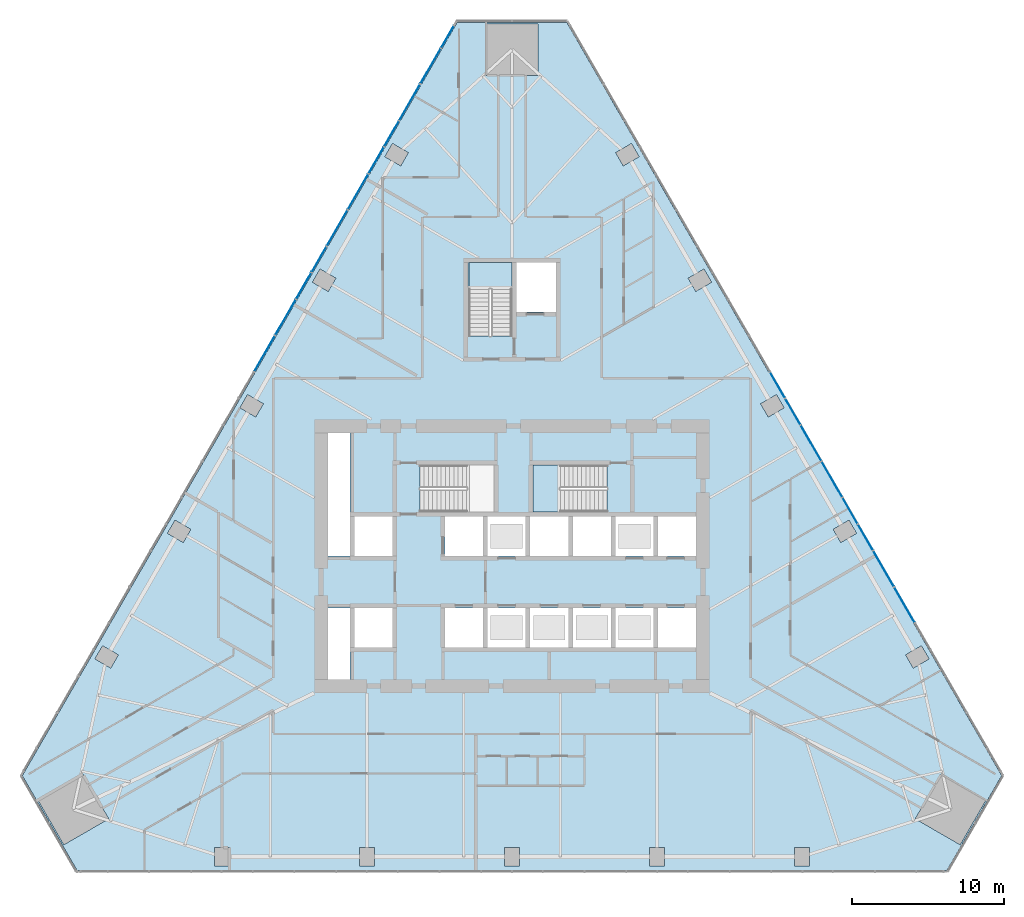
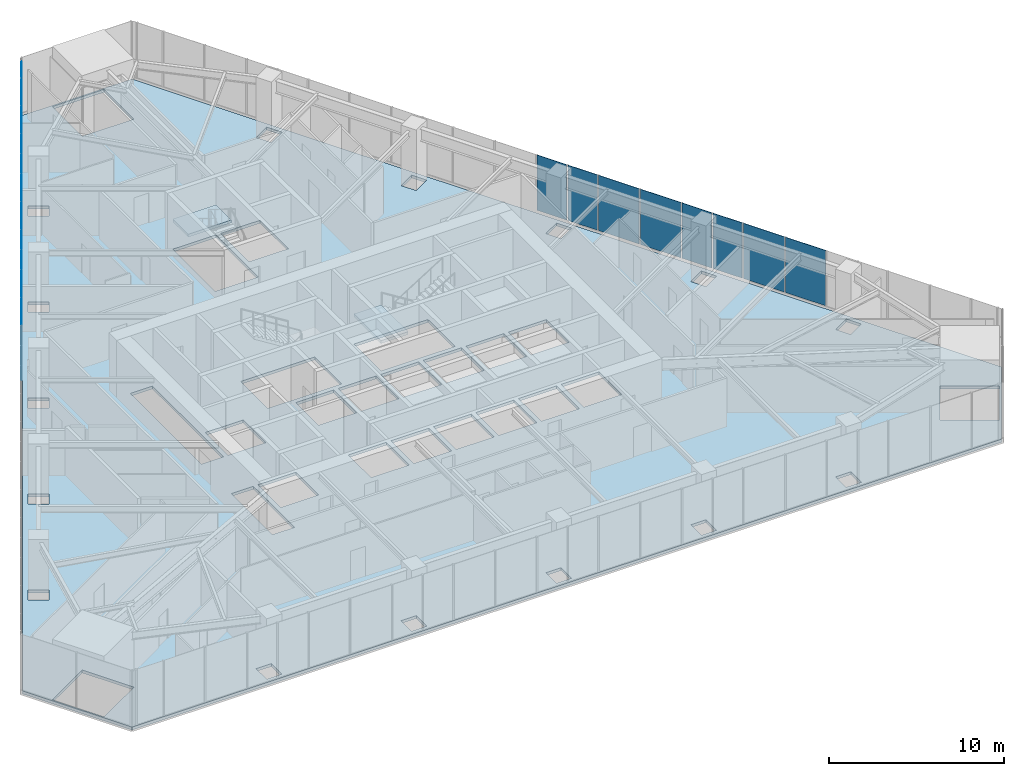
# One storey, part 16 of 25: 19 plates, 3 slabs, 4 elements without a shape of their own.
"""IFC4 building model written with IfcOpenShell, lengths in metres."""

from ifc_helpers import new_model, si_unit, direction, frame, origin, place, context, subcontext, project, spatial, polyline, outline, extrude, material, layer, layer_set, type_object, element, aggregate, save


model = new_model("IFC4")

# Units and contexts
model_context = context("Model", 3, precision=1e-05, world=origin(), true_north=direction((0.0, 1.0)))
body_context = subcontext(model_context, "Body", "Model", "MODEL_VIEW")
ifc_project = project(units=[si_unit("LENGTHUNIT", "METRE"), si_unit("AREAUNIT", "SQUARE_METRE"), si_unit("VOLUMEUNIT", "CUBIC_METRE"), si_unit("PLANEANGLEUNIT", "RADIAN"), si_unit("MASSUNIT", "GRAM", prefix="KILO")], contexts=[model_context])

# Site, building, storey
site_placement = place(None, origin())
site = spatial("IfcSite", under=ifc_project, at=site_placement, CompositionType="ELEMENT")
building_placement = place(site_placement, origin())
building = spatial("IfcBuilding", under=site, at=building_placement, Name="Firuza Gate Tower and Library", CompositionType="ELEMENT")
storey_placement = place(building_placement, frame((0.0, 0.0, 61.0)))
storey = spatial("IfcBuildingStorey", under=building, at=storey_placement, Name="L13", CompositionType="ELEMENT", Elevation=61.0)

# Slab
ifc_material_1 = material(Name="Concrete C40/50", Category="concrete")
ifc_layer_1 = layer(ifc_material_1, 0.199951171875)
ifc_layer_set_1 = layer_set([ifc_layer_1], Name="Composite floor slab 200 C40/50")
slab_type_1 = type_object("IfcSlabType", Name="Composite floor slab 200 C40/50", PredefinedType="FLOOR", material=ifc_layer_set_1)
slab_1_placement = place(storey_placement, frame((0.0, 0.0, -0.199951171875)))
element("IfcSlab", 1, at=slab_1_placement, inside=storey, type_object=slab_type_1, Name="Floor slab L13", PredefinedType="FLOOR", context=body_context, shape_type="SweptSolid", body=[
    extrude(outline(polyline([(42.796630859375, 60.564208984375), (46.396728515625, 54.328857421875), (103.603271484375, 54.328857421875), (107.203369140625, 60.564208984375), (78.60009765625, 110.106689453125), (71.39990234375, 110.106689453125), (42.796630859375, 60.564208984375)]), holes=[polyline([(55.43115234375, 54.62890625), (55.43115234375, 55.828857421875), (56.43115234375, 55.828857421875), (56.43115234375, 54.62890625), (55.43115234375, 54.62890625)]), polyline([(64.965576171875, 54.62890625), (64.965576171875, 55.828857421875), (65.965576171875, 55.828857421875), (65.965576171875, 54.62890625), (64.965576171875, 54.62890625)]), polyline([(43.833251953125, 58.96875), (46.77783203125, 60.6689453125), (48.477783203125, 57.724365234375), (45.533203125, 56.0244140625), (43.833251953125, 58.96875)]), polyline([(48.07373046875, 69.1044921875), (49.11279296875, 68.50439453125), (48.61279296875, 67.638427734375), (47.57373046875, 68.23828125), (48.07373046875, 69.1044921875)]), polyline([(64.35009765625, 66.89990234375), (62.89990234375, 66.89990234375), (62.89990234375, 71.60009765625), (64.35009765625, 71.60009765625), (64.35009765625, 66.89990234375)]), polyline([(75.89990234375, 69.0), (73.39990234375, 69.0), (73.39990234375, 71.60009765625), (75.89990234375, 71.60009765625), (75.89990234375, 69.0)]), polyline([(73.10009765625, 69.0), (70.60009765625, 69.0), (70.60009765625, 71.60009765625), (73.10009765625, 71.60009765625), (73.10009765625, 69.0)]), polyline([(64.64990234375, 69.0), (64.64990234375, 71.60009765625), (67.14990234375, 71.60009765625), (67.14990234375, 69.0), (64.64990234375, 69.0)]), polyline([(64.64990234375, 75.0), (64.64990234375, 77.60009765625), (67.14990234375, 77.60009765625), (67.14990234375, 75.0), (64.64990234375, 75.0)]), polyline([(75.89990234375, 75.0), (73.39990234375, 75.0), (73.39990234375, 77.60009765625), (75.89990234375, 77.60009765625), (75.89990234375, 75.0)]), polyline([(73.10009765625, 75.0), (70.60009765625, 75.0), (70.60009765625, 77.60009765625), (73.10009765625, 77.60009765625), (73.10009765625, 75.0)]), polyline([(52.8408203125, 77.361572265625), (53.880126953125, 76.761474609375), (53.380126953125, 75.8955078125), (52.3408203125, 76.495361328125), (52.8408203125, 77.361572265625)]), polyline([(62.89990234375, 75.0), (62.89990234375, 83.10009765625), (64.35009765625, 83.10009765625), (64.35009765625, 75.0), (62.89990234375, 75.0)]), polyline([(68.9404296875, 77.89990234375), (68.9404296875, 80.97998046875), (73.81005859375, 80.97998046875), (73.81005859375, 77.89990234375), (68.9404296875, 77.89990234375)]), polyline([(57.608154296875, 85.61865234375), (58.6474609375, 85.0185546875), (58.1474609375, 84.152587890625), (57.108154296875, 84.75244140625), (57.608154296875, 85.61865234375)]), polyline([(72.159912109375, 89.470458984375), (72.159912109375, 94.300048828125), (75.0, 94.300048828125), (75.0, 89.470458984375), (72.159912109375, 89.470458984375)]), polyline([(62.375244140625, 93.875732421875), (63.41455078125, 93.275634765625), (62.91455078125, 92.40966796875), (61.875244140625, 93.009521484375), (62.375244140625, 93.875732421875)]), polyline([(68.181884765625, 101.53271484375), (67.681884765625, 100.666748046875), (66.642578125, 101.2666015625), (67.142578125, 102.1328125), (68.181884765625, 101.53271484375)]), polyline([(76.699951171875, 106.606689453125), (73.300048828125, 106.606689453125), (73.300048828125, 110.0068359375), (76.699951171875, 110.0068359375), (76.699951171875, 106.606689453125)]), polyline([(93.56884765625, 54.62890625), (93.56884765625, 55.828857421875), (94.56884765625, 55.828857421875), (94.56884765625, 54.62890625), (93.56884765625, 54.62890625)]), polyline([(74.5, 54.62890625), (74.5, 55.828857421875), (75.5, 55.828857421875), (75.5, 54.62890625), (74.5, 54.62890625)]), polyline([(84.034423828125, 54.62890625), (84.034423828125, 55.828857421875), (85.034423828125, 55.828857421875), (85.034423828125, 54.62890625), (84.034423828125, 54.62890625)]), polyline([(104.466796875, 56.0244140625), (101.522216796875, 57.724365234375), (103.22216796875, 60.6689453125), (106.166748046875, 58.96875), (104.466796875, 56.0244140625)]), polyline([(102.42626953125, 68.23828125), (101.38720703125, 67.638427734375), (100.88720703125, 68.50439453125), (101.92626953125, 69.1044921875), (102.42626953125, 68.23828125)]), polyline([(78.699951171875, 69.0), (76.199951171875, 69.0), (76.199951171875, 71.60009765625), (78.699951171875, 71.60009765625), (78.699951171875, 69.0)]), polyline([(81.5, 69.0), (79.0, 69.0), (79.0, 71.60009765625), (81.5, 71.60009765625), (81.5, 69.0)]), polyline([(84.60009765625, 69.0), (84.60009765625, 71.60009765625), (87.10009765625, 71.60009765625), (87.10009765625, 69.0), (84.60009765625, 69.0)]), polyline([(81.800048828125, 69.0), (81.800048828125, 71.60009765625), (84.300048828125, 71.60009765625), (84.300048828125, 69.0), (81.800048828125, 69.0)]), polyline([(84.300048828125, 75.0), (81.800048828125, 75.0), (81.800048828125, 77.60009765625), (84.300048828125, 77.60009765625), (84.300048828125, 75.0)]), polyline([(87.10009765625, 75.0), (84.60009765625, 75.0), (84.60009765625, 77.60009765625), (87.10009765625, 77.60009765625), (87.10009765625, 75.0)]), polyline([(81.5, 75.0), (79.0, 75.0), (79.0, 77.60009765625), (81.5, 77.60009765625), (81.5, 75.0)]), polyline([(76.199951171875, 75.0), (76.199951171875, 77.60009765625), (78.699951171875, 77.60009765625), (78.699951171875, 75.0), (76.199951171875, 75.0)]), polyline([(96.619873046875, 75.8955078125), (96.119873046875, 76.761474609375), (97.1591796875, 77.361572265625), (97.6591796875, 76.495361328125), (96.619873046875, 75.8955078125)]), polyline([(81.259521484375, 77.89990234375), (76.389892578125, 77.89990234375), (76.389892578125, 80.97998046875), (81.259521484375, 80.97998046875), (81.259521484375, 77.89990234375)]), polyline([(92.891845703125, 84.75244140625), (91.8525390625, 84.152587890625), (91.3525390625, 85.0185546875), (92.391845703125, 85.61865234375), (92.891845703125, 84.75244140625)]), polyline([(77.89990234375, 91.050048828125), (75.300048828125, 91.050048828125), (75.300048828125, 94.300048828125), (77.89990234375, 94.300048828125), (77.89990234375, 91.050048828125)]), polyline([(87.08544921875, 92.40966796875), (86.58544921875, 93.275634765625), (87.624755859375, 93.875732421875), (88.124755859375, 93.009521484375), (87.08544921875, 92.40966796875)]), polyline([(82.318115234375, 100.666748046875), (81.818115234375, 101.53271484375), (82.857421875, 102.1328125), (83.357421875, 101.2666015625), (82.318115234375, 100.666748046875)])]), origin(), (0.0, 0.0, 1.0), 0.199951171875),
])

# Curtain wall, plates
ifc_material_2 = material(Name="Aluminium 6063-T6", Category="aluminium")
ifc_layer_2 = layer(ifc_material_2, 0.14990234375)
ifc_layer_set_2 = layer_set([ifc_layer_2], Name="Unitised curtain wall, offices")
curtain_wall_type = type_object("IfcCurtainWallType", Name="Unitised curtain wall, offices", PredefinedType="NOTDEFINED", material=ifc_layer_set_2)
placement_1 = place(storey_placement, origin())
curtain_wall_1 = element("IfcCurtainWall", 2, at=placement_1, inside=storey, type_object=curtain_wall_type, Name="CW1 L13 E face", PredefinedType="NOTDEFINED")
ifc_material_3 = material(Name="Fritted glass", Category="glass")
ifc_layer_3 = layer(ifc_material_3, 0.030029296875)
ifc_layer_set_3 = layer_set([ifc_layer_3], Name="Fritted glass unit, offices")
plate_type_1 = type_object("IfcPlateType", Name="Fritted glass unit, offices", PredefinedType="CURTAIN_PANEL", material=ifc_layer_set_3)
plate_1_placement = place(storey_placement, frame((98.737548828125, 75.40771484375, 0.14990234375), z_axis=(0.866035778077, 0.499982030767, 0.0), x_axis=(-0.499982030767, 0.866035778077, 0.0)))
plate_1 = element("IfcPlate", 3, at=plate_1_placement, type_object=plate_type_1, Name="Glass unit", PredefinedType="CURTAIN_PANEL", context=body_context, shape_type="SweptSolid", body=[
    extrude(outline(polyline([(0.0, 0.0), (1.9268270597083808, 0.0), (1.9268270597083808, 3.85009765625), (0.0, 3.85009765625), (0.0, 0.0)])), origin(), (0.0, 0.0, -1.0), 0.030029296875),
])
plate_2_placement = place(storey_placement, frame((97.734130859375, 77.1455078125, 0.14990234375), z_axis=(0.866006819391, 0.500032187732, 0.0), x_axis=(-0.500032187732, 0.866006819391, 0.0)))
plate_2 = element("IfcPlate", 4, at=plate_2_placement, type_object=plate_type_1, Name="Glass unit", PredefinedType="CURTAIN_PANEL", context=body_context, shape_type="SweptSolid", body=[
    extrude(outline(polyline([(0.0, 0.0), (1.9559287736792204, 0.0), (1.9559287736792204, 3.85009765625), (0.0, 3.85009765625), (0.0, 0.0)])), origin(), (0.0, 0.0, -1.0), 0.030029296875),
])
plate_3_placement = place(storey_placement, frame((93.97021484375, 83.664794921875, 0.14990234375), z_axis=(0.866005469285, 0.500034525977, 0.0), x_axis=(-0.500034525977, 0.866005469285, 0.0)))
plate_3 = element("IfcPlate", 5, at=plate_3_placement, type_object=plate_type_1, Name="Glass unit", PredefinedType="CURTAIN_PANEL", context=body_context, shape_type="SweptSolid", body=[
    extrude(outline(polyline([(0.0, 0.0), (1.941272201362005, 0.0), (1.941272201362005, 3.85009765625), (0.0, 3.85009765625), (0.0, 0.0)])), origin(), (0.0, 0.0, -1.0), 0.030029296875),
])
plate_4_placement = place(storey_placement, frame((92.959716796875, 85.415283203125, 0.14990234375), z_axis=(0.866005469285, 0.500034525977, 0.0), x_axis=(-0.500034525977, 0.866005469285, 0.0)))
plate_4 = element("IfcPlate", 6, at=plate_4_placement, type_object=plate_type_1, Name="Glass unit", PredefinedType="CURTAIN_PANEL", context=body_context, shape_type="SweptSolid", body=[
    extrude(outline(polyline([(0.0, 0.0), (1.941272201362005, 0.0), (1.941272201362005, 3.85009765625), (0.0, 3.85009765625), (0.0, 0.0)])), origin(), (0.0, 0.0, -1.0), 0.030029296875),
])

curtain_wall_2 = element("IfcCurtainWall", 7, at=placement_1, inside=storey, type_object=curtain_wall_type, Name="CW1 L13 W face", PredefinedType="NOTDEFINED")
plate_5_placement = place(storey_placement, frame((71.158203125, 109.867919921875, 0.14990234375), z_axis=(-0.865971650761, 0.500093091412, 0.0), x_axis=(-0.500093091412, -0.865971650761, 0.0)))
plate_5 = element("IfcPlate", 8, at=plate_5_placement, type_object=plate_type_1, Name="Glass unit", PredefinedType="CURTAIN_PANEL", context=body_context, shape_type="SweptSolid", body=[
    extrude(outline(polyline([(0.0, 0.0), (1.6535007403141069, 0.0), (1.6535007403141069, 3.85009765625), (0.0, 3.85009765625), (0.0, 0.0)])), origin(), (0.0, 0.0, -1.0), 0.030029296875),
])
plate_6_placement = place(storey_placement, frame((67.54541015625, 103.610595703125, 0.14990234375), z_axis=(-0.866066541489, 0.499928740635, 0.0), x_axis=(-0.499928740635, -0.866066541489, 0.0)))
plate_6 = element("IfcPlate", 9, at=plate_6_placement, type_object=plate_type_1, Name="Glass unit", PredefinedType="CURTAIN_PANEL", context=body_context, shape_type="SweptSolid", body=[
    extrude(outline(polyline([(0.0, 0.0), (1.9123819252415881, 0.0), (1.9123819252415881, 3.85009765625), (0.0, 3.85009765625), (0.0, 0.0)])), origin(), (0.0, 0.0, -1.0), 0.030029296875),
])
plate_7_placement = place(storey_placement, frame((66.54931640625, 101.885009765625, 0.14990234375), z_axis=(-0.865999842505, 0.500044270822, 0.0), x_axis=(-0.500044270822, -0.865999842505, 0.0)))
plate_7 = element("IfcPlate", 10, at=plate_7_placement, type_object=plate_type_1, Name="Glass unit", PredefinedType="CURTAIN_PANEL", context=body_context, shape_type="SweptSolid", body=[
    extrude(outline(polyline([(0.0, 0.0), (1.97004041313216, 0.0), (1.97004041313216, 3.85009765625), (0.0, 3.85009765625), (0.0, 0.0)])), origin(), (0.0, 0.0, -1.0), 0.030029296875),
])
plate_8_placement = place(storey_placement, frame((62.7783203125, 95.353515625, 0.14990234375), z_axis=(-0.86598091233, 0.500077053543, 0.0), x_axis=(-0.500077053543, -0.86598091233, 0.0)))
plate_8 = element("IfcPlate", 11, at=plate_8_placement, type_object=plate_type_1, Name="Glass unit", PredefinedType="CURTAIN_PANEL", context=body_context, shape_type="SweptSolid", body=[
    extrude(outline(polyline([(0.0, 0.0), (1.9269491372336889, 0.0), (1.9269491372336889, 3.85009765625), (0.0, 3.85009765625), (0.0, 0.0)])), origin(), (0.0, 0.0, -1.0), 0.030029296875),
])
plate_9_placement = place(storey_placement, frame((61.77490234375, 93.615478515625, 0.14990234375), z_axis=(-0.865975605109, 0.500086243919, 0.0), x_axis=(-0.500086243919, -0.865975605109, 0.0)))
plate_9 = element("IfcPlate", 12, at=plate_9_placement, type_object=plate_type_1, Name="Glass unit", PredefinedType="CURTAIN_PANEL", context=body_context, shape_type="SweptSolid", body=[
    extrude(outline(polyline([(0.0, 0.0), (1.9557173500432112, 0.0), (1.9557173500432112, 3.85009765625), (0.0, 3.85009765625), (0.0, 0.0)])), origin(), (0.0, 0.0, -1.0), 0.030029296875),
])

# Plate
ifc_material_4 = material(Name="Glazed ceramic tile")
ifc_layer_4 = layer(ifc_material_4, 0.030029296875)
ifc_layer_set_4 = layer_set([ifc_layer_4], Name="Opaque ceramic panel, offices")
plate_type_2 = type_object("IfcPlateType", Name="Opaque ceramic panel, offices", PredefinedType="CURTAIN_PANEL", material=ifc_layer_set_4)
plate_10_placement = place(storey_placement, frame((101.4833984375, 70.651611328125, 0.14990234375), z_axis=(0.866047212878, 0.499962223639, 0.0), x_axis=(-0.499962223639, 0.866047212878, 0.0)))
plate_10 = element("IfcPlate", 13, at=plate_10_placement, type_object=plate_type_2, Name="Opaque ceramic panel", PredefinedType="CURTAIN_PANEL", context=body_context, shape_type="SweptSolid", body=[
    extrude(outline(polyline([(0.0, 0.0), (2.644242748486787, 0.0), (2.644242748486787, 3.850097656250001), (0.0, 3.850097656250001), (0.0, 0.0)])), origin(), (0.0, 0.0, -1.0), 0.030029296875),
])

plate_11_placement = place(storey_placement, frame((100.121337890625, 73.0107421875, 0.14990234375), z_axis=(0.866043397086, 0.499968833392, 0.0), x_axis=(-0.499968833392, 0.866043397086, 0.0)))
plate_11 = element("IfcPlate", 14, at=plate_11_placement, type_object=plate_type_2, Name="Opaque ceramic panel", PredefinedType="CURTAIN_PANEL", context=body_context, shape_type="SweptSolid", body=[
    extrude(outline(polyline([(0.0, 0.0), (2.687667530959376, 0.0), (2.687667530959376, 3.85009765625), (0.0, 3.85009765625), (0.0, 0.0)])), origin(), (0.0, 0.0, -1.0), 0.030029296875),
])

plate_12_placement = place(storey_placement, frame((96.71630859375, 78.90869140625, 0.14990234375), z_axis=(0.866025021616, 0.500000661934, 0.0), x_axis=(-0.500000661934, 0.866025021616, 0.0)))
plate_12 = element("IfcPlate", 15, at=plate_12_placement, type_object=plate_type_2, Name="Opaque ceramic panel", PredefinedType="CURTAIN_PANEL", context=body_context, shape_type="SweptSolid", body=[
    extrude(outline(polyline([(0.0, 0.0), (2.6586878864976127, 0.0), (2.6586878864976127, 3.85009765625), (0.0, 3.85009765625), (0.0, 0.0)])), origin(), (0.0, 0.0, -1.0), 0.030029296875),
])

plate_13_placement = place(storey_placement, frame((95.346923828125, 81.2802734375, 0.14990234375), z_axis=(0.866025902152, 0.499999136801, 0.0), x_axis=(-0.499999136801, 0.866025902152, 0.0)))
plate_13 = element("IfcPlate", 16, at=plate_13_placement, type_object=plate_type_2, Name="Opaque ceramic panel", PredefinedType="CURTAIN_PANEL", context=body_context, shape_type="SweptSolid", body=[
    extrude(outline(polyline([(0.0, 0.0), (2.6733444590071462, 0.0), (2.6733444590071462, 3.85009765625), (0.0, 3.85009765625), (0.0, 0.0)])), origin(), (0.0, 0.0, -1.0), 0.030029296875),
])

aggregate(curtain_wall_1, [plate_10, plate_11, plate_1, plate_2, plate_12, plate_13, plate_3, plate_4])

plate_14_placement = place(storey_placement, frame((70.29150390625, 108.36669921875, 0.14990234375), z_axis=(-0.86602945008, 0.499992991546, 0.0), x_axis=(-0.499992991546, -0.86602945008, 0.0)))
plate_14 = element("IfcPlate", 17, at=plate_14_placement, type_object=plate_type_2, Name="Opaque ceramic panel", PredefinedType="CURTAIN_PANEL", context=body_context, shape_type="SweptSolid", body=[
    extrude(outline(polyline([(0.0, 0.0), (2.6299196758441816, 0.0), (2.6299196758441816, 3.85009765625), (0.0, 3.85009765625), (0.0, 0.0)])), origin(), (0.0, 0.0, -1.0), 0.030029296875),
])

plate_15_placement = place(storey_placement, frame((68.9365234375, 106.019775390625, 0.14990234375), z_axis=(-0.86599899139, 0.50004574482, 0.0), x_axis=(-0.50004574482, -0.86599899139, 0.0)))
plate_15 = element("IfcPlate", 18, at=plate_15_placement, type_object=plate_type_2, Name="Opaque ceramic panel", PredefinedType="CURTAIN_PANEL", context=body_context, shape_type="SweptSolid", body=[
    extrude(outline(polyline([(0.0, 0.0), (2.701901241530672, 0.0), (2.701901241530672, 3.85009765625), (0.0, 3.85009765625), (0.0, 0.0)])), origin(), (0.0, 0.0, -1.0), 0.030029296875),
])

plate_16_placement = place(storey_placement, frame((65.524169921875, 100.109619140625, 0.14990234375), z_axis=(-0.866047212878, 0.499962223639, 0.0), x_axis=(-0.499962223639, -0.866047212878, 0.0)))
plate_16 = element("IfcPlate", 19, at=plate_16_placement, type_object=plate_type_2, Name="Opaque ceramic panel", PredefinedType="CURTAIN_PANEL", context=body_context, shape_type="SweptSolid", body=[
    extrude(outline(polyline([(0.0, 0.0), (2.644242748486787, 0.0), (2.644242748486787, 3.850097656250001), (0.0, 3.850097656250001), (0.0, 0.0)])), origin(), (0.0, 0.0, -1.0), 0.030029296875),
])

plate_17_placement = place(storey_placement, frame((64.162109375, 97.750244140625, 0.14990234375), z_axis=(-0.866020687897, 0.500008168067, 0.0), x_axis=(-0.500008168067, -0.866020687897, 0.0)))
plate_17 = element("IfcPlate", 20, at=plate_17_placement, type_object=plate_type_2, Name="Opaque ceramic panel", PredefinedType="CURTAIN_PANEL", context=body_context, shape_type="SweptSolid", body=[
    extrude(outline(polyline([(0.0, 0.0), (2.6874560973551427, 0.0), (2.6874560973551427, 3.850097656250001), (0.0, 3.850097656250001), (0.0, 0.0)])), origin(), (0.0, 0.0, -1.0), 0.030029296875),
])

plate_18_placement = place(storey_placement, frame((60.7568359375, 91.8525390625, 0.14990234375), z_axis=(-0.866025021616, 0.500000661934, 0.0), x_axis=(-0.500000661934, -0.866025021616, 0.0)))
plate_18 = element("IfcPlate", 21, at=plate_18_placement, type_object=plate_type_2, Name="Opaque ceramic panel", PredefinedType="CURTAIN_PANEL", context=body_context, shape_type="SweptSolid", body=[
    extrude(outline(polyline([(0.0, 0.0), (2.6586878864976127, 0.0), (2.6586878864976127, 3.85009765625), (0.0, 3.85009765625), (0.0, 0.0)])), origin(), (0.0, 0.0, -1.0), 0.030029296875),
])

plate_19_placement = place(storey_placement, frame((59.3876953125, 89.480712890625, 0.14990234375), z_axis=(-0.866003068511, 0.500038683832, 0.0), x_axis=(-0.500038683832, -0.866003068511, 0.0)))
plate_19 = element("IfcPlate", 22, at=plate_19_placement, type_object=plate_type_2, Name="Opaque ceramic panel", PredefinedType="CURTAIN_PANEL", context=body_context, shape_type="SweptSolid", body=[
    extrude(outline(polyline([(0.0, 0.0), (2.6731330296893283, 0.0), (2.6731330296893283, 3.85009765625), (0.0, 3.85009765625), (0.0, 0.0)])), origin(), (0.0, 0.0, -1.0), 0.030029296875),
])

aggregate(curtain_wall_2, [plate_5, plate_14, plate_15, plate_6, plate_7, plate_16, plate_17, plate_8, plate_9, plate_18, plate_19])

# Stair, slab
ifc_material_5 = material(Name="Concrete C35/45", Category="concrete")
stair_type_1 = type_object("IfcStairType", Name="Exit stair ST5", PredefinedType="HALF_TURN_STAIR", material=ifc_material_5)
stair_1 = element("IfcStair", 23, at=placement_1, inside=storey, type_object=stair_type_1, Name="L13 Stair ST2", PredefinedType="HALF_TURN_STAIR")
ifc_material_6 = material(Name="Concrete C35/45", Category="concrete")
ifc_layer_5 = layer(ifc_material_6, 0.199951171875)
ifc_layer_set_5 = layer_set([ifc_layer_5], Name="Stair landing 200")
slab_type_2 = type_object("IfcSlabType", Name="Stair landing 200", PredefinedType="LANDING", material=ifc_layer_set_5)
placement_2 = place(storey_placement, frame((0.0, 0.0, 1.89990234375)))
slab_2 = element("IfcSlab", 24, at=placement_2, type_object=slab_type_2, Name="ST2 landing 1", PredefinedType="LANDING", context=body_context, shape_type="SweptSolid", body=[
    extrude(outline(polyline([(78.179931640625, 80.97998046875), (76.389892578125, 80.97998046875), (76.389892578125, 77.89990234375), (78.179931640625, 77.89990234375), (78.179931640625, 80.97998046875)])), origin(), (0.0, 0.0, 1.0), 0.2001953125),
])
aggregate(stair_1, [slab_2])

ifc_material_7 = material(Name="Concrete C35/45", Category="concrete")
stair_type_2 = type_object("IfcStairType", Name="Exit stair ST14", PredefinedType="HALF_TURN_STAIR", material=ifc_material_7)
stair_2 = element("IfcStair", 25, at=placement_1, inside=storey, type_object=stair_type_2, Name="L13 Stair ST3", PredefinedType="HALF_TURN_STAIR")
slab_3 = element("IfcSlab", 26, at=placement_2, type_object=slab_type_2, Name="ST3 landing 1", PredefinedType="LANDING", context=body_context, shape_type="SweptSolid", body=[
    extrude(outline(polyline([(75.0, 92.550048828125), (75.0, 94.300048828125), (72.159912109375, 94.300048828125), (72.159912109375, 92.550048828125), (75.0, 92.550048828125)])), origin(), (0.0, 0.0, 1.0), 0.2001953125),
])
aggregate(stair_2, [slab_3])

save(model, "model.ifc")
